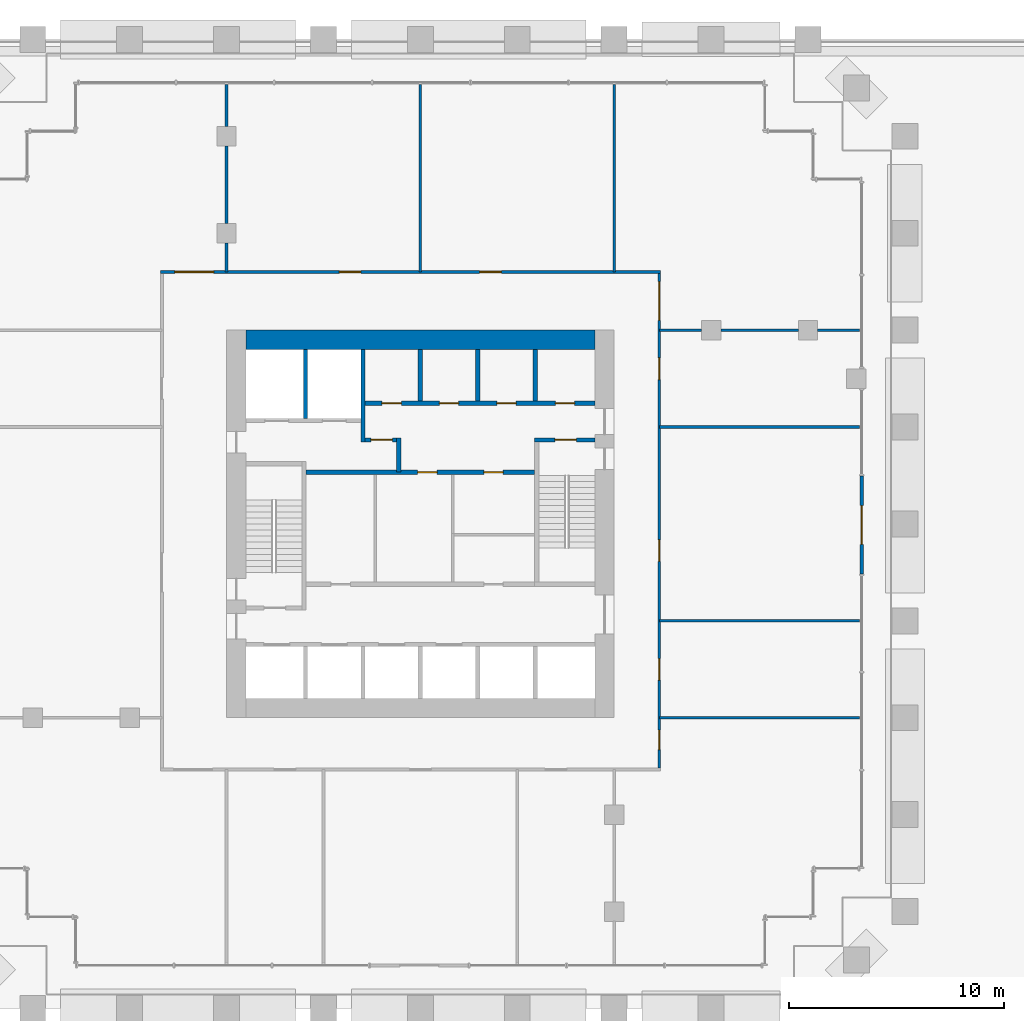
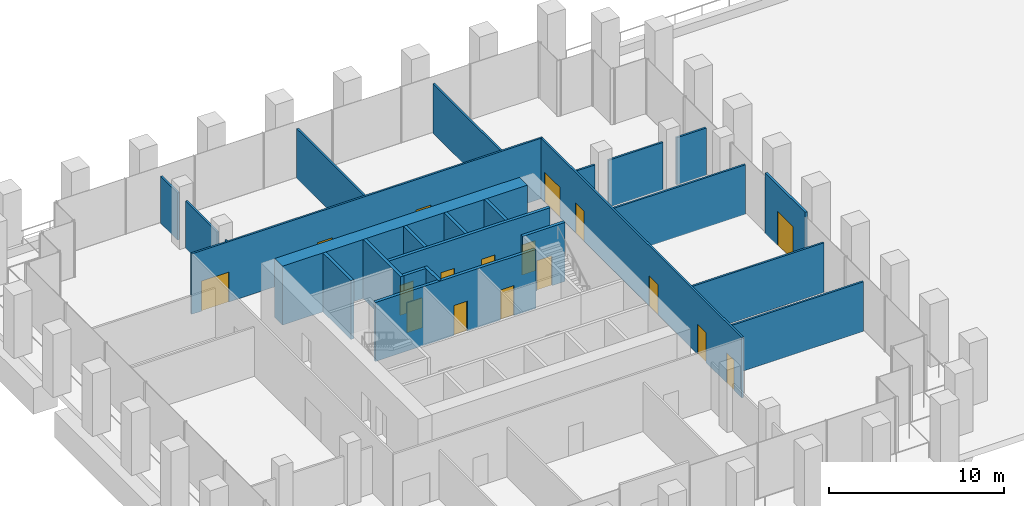
# One storey, part 26 of 32: 25 walls, 17 doors, 17 openings.
"""IFC4 building model written with IfcOpenShell, lengths in metres."""

from ifc_helpers import new_model, si_unit, direction, frame, frame_2d, origin, place, context, subcontext, project, spatial, rectangle, extrude, material, layer, layer_set, type_object, element, fill, save


model = new_model("IFC4")

# Units and contexts
model_context = context("Model", 3, precision=1e-05, world=origin(), true_north=direction((0.0, 1.0)))
body_context = subcontext(model_context, "Body", "Model", "MODEL_VIEW")
ifc_project = project(units=[si_unit("LENGTHUNIT", "METRE"), si_unit("AREAUNIT", "SQUARE_METRE"), si_unit("VOLUMEUNIT", "CUBIC_METRE"), si_unit("PLANEANGLEUNIT", "RADIAN"), si_unit("MASSUNIT", "GRAM", prefix="KILO")], contexts=[model_context])

# Site, building, storey
site_placement = place(None, origin())
site = spatial("IfcSite", under=ifc_project, at=site_placement, CompositionType="ELEMENT")
building_placement = place(site_placement, origin())
building = spatial("IfcBuilding", under=site, at=building_placement, Name="Altepetl Exchange Towers", CompositionType="ELEMENT")
storey_placement = place(building_placement, frame((0.0, 0.0, 21.0)))
storey = spatial("IfcBuildingStorey", under=building, at=storey_placement, Name="L04", CompositionType="ELEMENT", Elevation=21.0)

# Wall
ifc_material_1 = material(Name="Concrete C70/85", Category="concrete")
ifc_layer_1 = layer(ifc_material_1, 0.89990234375)
ifc_layer_set_1 = layer_set([ifc_layer_1], Name="Concrete C70/85")
wall_type_1 = type_object("IfcWallType", Name="Core wall 900 reinforced concrete", PredefinedType="SHEAR", material=ifc_layer_set_1)
wall_1_placement = place(storey_placement, frame((41.39990234375, 58.050048828125, 0.0)))
element("IfcWall", 1, at=wall_1_placement, inside=storey, type_object=wall_type_1, Name="wall:A:L04:K-coreN", PredefinedType="SHEAR", context=body_context, shape_type="SweptSolid", body=[
    extrude(rectangle(XDim=16.2001953125, YDim=0.89990234375, at=frame_2d((8.10009765625, 0.0))), origin(), (0.0, 0.0, 1.0), 4.125),
])

# Wall, opening, door
ifc_material_2 = material(Name="Aluminium composite cladding", Category="aluminium")
ifc_layer_2 = layer(ifc_material_2, 0.14990234375)
ifc_layer_set_2 = layer_set([ifc_layer_2], Name="Aluminium composite cladding")
wall_type_2 = type_object("IfcWallType", Name="Infill wall 150 aluminium panel", PredefinedType="SOLIDWALL", material=ifc_layer_set_2)
wall_2_placement = place(storey_placement, frame((70.0, 47.17138671875, 0.0), z_axis=(0.0, 0.0, 1.0), x_axis=(0.0, 1.0, 0.0)))
wall_2 = element("IfcWall", 2, at=wall_2_placement, inside=storey, type_object=wall_type_2, Name="Terrace door bay wall", PredefinedType="SOLIDWALL", context=body_context, shape_type="SweptSolid", body=[
    extrude(rectangle(XDim=4.55712890625, YDim=0.14990234375, at=frame_2d((2.278564453125, 0.0))), origin(), (0.0, 0.0, 1.0), 4.22509765625),
])
opening_1_placement = place(wall_2_placement, frame((1.378662109375, 0.0, 0.0)))
opening_1 = element("IfcOpeningElement", 3, at=opening_1_placement, cuts=wall_2, Name="Opening L04.A92", PredefinedType="OPENING", context=body_context, shape_type="SweptSolid", body=[
    extrude(rectangle(XDim=1.800048828125, YDim=2.39990234375, at=frame_2d((0.89990234375, 1.199951171875))), frame((0.0, 0.0849609375, 0.0), z_axis=(0.0, -1.0, 0.0), x_axis=(1.0, 0.0, 0.0)), (0.0, 0.0, 1.0), 0.169921875),
])
ifc_material_3 = material(Name="Aluminium 6063-T6 and glass", Category="aluminium")
door_type_1 = type_object("IfcDoorType", Name="Glazed door pair 1800x2400", OperationType="DOUBLE_DOOR_DOUBLE_SWING", PredefinedType="NOTDEFINED", material=ifc_material_3)
door_1_placement = place(opening_1_placement, frame((1.800048828125, 0.0, 0.0), x_axis=(-1.0, 0.0, 0.0)))
door_1 = element("IfcDoor", 4, at=door_1_placement, inside=storey, type_object=door_type_1, Name="Terrace door", OperationType="DOUBLE_DOOR_DOUBLE_SWING", OverallHeight=2.39990234375, OverallWidth=1.800048828125, PredefinedType="NOTDEFINED", context=body_context, shape_type="SweptSolid", body=[
    extrude(rectangle(XDim=1.800048828125, YDim=2.39990234375, at=frame_2d((0.89990234375, 1.199951171875))), frame((0.0, 0.02490234375, 0.0), z_axis=(0.0, -1.0, 0.0), x_axis=(1.0, 0.0, 0.0)), (0.0, 0.0, 1.0), 0.050048828125),
])
fill(opening_1, door_1)

# Wall
ifc_material_4 = material(Name="Concrete blockwork", Category="masonry")
ifc_layer_3 = layer(ifc_material_4, 0.199951171875)
ifc_layer_set_3 = layer_set([ifc_layer_3], Name="Concrete blockwork")
wall_type_3 = type_object("IfcWallType", Name="Lobby wall 200 blockwork", PredefinedType="PARTITIONING", material=ifc_layer_set_3)
wall_3_placement = place(storey_placement, frame((48.5, 51.89990234375, 0.0), z_axis=(0.0, 0.0, 1.0), x_axis=(0.0, 1.0, 0.0)))
element("IfcWall", 5, at=wall_3_placement, inside=storey, type_object=wall_type_3, Name="wall:A:L04:K-ffE", PredefinedType="PARTITIONING", context=body_context, shape_type="SweptSolid", body=[
    extrude(rectangle(XDim=1.60009765625, YDim=0.199951171875, at=frame_2d((0.800048828125, 0.0))), origin(), (0.0, 0.0, 1.0), 4.125),
])

# Wall, opening, door
wall_4_placement = place(storey_placement, frame((46.933349609375, 53.39990234375, 0.0)))
wall_4 = element("IfcWall", 6, at=wall_4_placement, inside=storey, type_object=wall_type_3, Name="wall:A:L04:K-ffN", PredefinedType="PARTITIONING", context=body_context, shape_type="SweptSolid", body=[
    extrude(rectangle(XDim=1.466552734375, YDim=0.199951171875, at=frame_2d((0.7333984375, 0.0))), origin(), (0.0, 0.0, 1.0), 4.125),
])
opening_2_placement = place(wall_4_placement, frame((0.2666015625, 0.0, 0.0)))
opening_2 = element("IfcOpeningElement", 7, at=opening_2_placement, cuts=wall_4, Name="Opening L04.A67", PredefinedType="OPENING", context=body_context, shape_type="SweptSolid", body=[
    extrude(rectangle(XDim=1.0, YDim=2.10009765625, at=frame_2d((0.5, 1.050048828125))), frame((0.0, 0.10986328125, 0.0), z_axis=(0.0, -1.0, 0.0), x_axis=(1.0, 0.0, 0.0)), (0.0, 0.0, 1.0), 0.219970703125),
])
ifc_material_5 = material(Name="Steel and timber fire door", Category="steel")
door_type_2 = type_object("IfcDoorType", Name="Fire door 1000 x 2100 stair and lobby", OperationType="SINGLE_SWING_LEFT", PredefinedType="DOOR", material=ifc_material_5)
door_2_placement = place(opening_2_placement, frame((1.0, 0.0, 0.0), x_axis=(-1.0, 0.0, 0.0)))
door_2 = element("IfcDoor", 8, at=door_2_placement, inside=storey, type_object=door_type_2, Name="door:A:L04:K-dffN", OperationType="SINGLE_SWING_LEFT", OverallHeight=2.10009765625, OverallWidth=1.0, PredefinedType="DOOR", context=body_context, shape_type="SweptSolid", body=[
    extrude(rectangle(XDim=1.0, YDim=2.10009765625, at=frame_2d((0.5, 1.050048828125))), frame((0.0, 0.02490234375, 0.0), z_axis=(0.0, -1.0, 0.0), x_axis=(1.0, 0.0, 0.0)), (0.0, 0.0, 1.0), 0.050048828125),
])
fill(opening_2, door_2)

# Wall, openings, doors
wall_5_placement = place(storey_placement, frame((44.199951171875, 51.89990234375, 0.0)))
wall_5 = element("IfcWall", 9, at=wall_5_placement, inside=storey, type_object=wall_type_3, Name="wall:A:L04:K-zoneN", PredefinedType="PARTITIONING", context=body_context, shape_type="SweptSolid", body=[
    extrude(rectangle(XDim=10.60009765625, YDim=0.199951171875, at=frame_2d((5.300048828125, 0.0))), origin(), (0.0, 0.0, 1.0), 4.125),
])
opening_3_placement = place(wall_5_placement, frame((5.175048828125, 0.0, 0.0)))
opening_3 = element("IfcOpeningElement", 10, at=opening_3_placement, cuts=wall_5, Name="Opening L04.A74", PredefinedType="OPENING", context=body_context, shape_type="SweptSolid", body=[
    extrude(rectangle(XDim=0.89990234375, YDim=2.10009765625, at=frame_2d((0.449951171875, 1.050048828125))), frame((0.0, 0.10986328125, 0.0), z_axis=(0.0, -1.0, 0.0), x_axis=(1.0, 0.0, 0.0)), (0.0, 0.0, 1.0), 0.219970703125),
])
opening_4_placement = place(wall_5_placement, frame((8.25, 0.0, 0.0)))
opening_4 = element("IfcOpeningElement", 11, at=opening_4_placement, cuts=wall_5, Name="Opening L04.A76", PredefinedType="OPENING", context=body_context, shape_type="SweptSolid", body=[
    extrude(rectangle(XDim=0.89990234375, YDim=2.10009765625, at=frame_2d((0.449951171875, 1.050048828125))), frame((0.0, 0.10986328125, 0.0), z_axis=(0.0, -1.0, 0.0), x_axis=(1.0, 0.0, 0.0)), (0.0, 0.0, 1.0), 0.219970703125),
])
door_type_3 = type_object("IfcDoorType", Name="Fire door 900 x 2100 service room", OperationType="SINGLE_SWING_LEFT", PredefinedType="DOOR", material=ifc_material_5)
door_3_placement = place(opening_3_placement, frame((0.89990234375, 0.0, 0.0), x_axis=(-1.0, 0.0, 0.0)))
door_3 = element("IfcDoor", 12, at=door_3_placement, inside=storey, type_object=door_type_3, Name="door:A:L04:K-dz2", OperationType="SINGLE_SWING_LEFT", OverallHeight=2.10009765625, OverallWidth=0.89990234375, PredefinedType="DOOR", context=body_context, shape_type="SweptSolid", body=[
    extrude(rectangle(XDim=0.89990234375, YDim=2.10009765625, at=frame_2d((0.449951171875, 1.050048828125))), frame((0.0, 0.02490234375, 0.0), z_axis=(0.0, -1.0, 0.0), x_axis=(1.0, 0.0, 0.0)), (0.0, 0.0, 1.0), 0.050048828125),
])
fill(opening_3, door_3)
door_4_placement = place(opening_4_placement, frame((0.89990234375, 0.0, 0.0), x_axis=(-1.0, 0.0, 0.0)))
door_4 = element("IfcDoor", 13, at=door_4_placement, inside=storey, type_object=door_type_3, Name="door:A:L04:K-dz4", OperationType="SINGLE_SWING_LEFT", OverallHeight=2.10009765625, OverallWidth=0.89990234375, PredefinedType="DOOR", context=body_context, shape_type="SweptSolid", body=[
    extrude(rectangle(XDim=0.89990234375, YDim=2.10009765625, at=frame_2d((0.449951171875, 1.050048828125))), frame((0.0, 0.02490234375, 0.0), z_axis=(0.0, -1.0, 0.0), x_axis=(1.0, 0.0, 0.0)), (0.0, 0.0, 1.0), 0.050048828125),
])
fill(opening_4, door_4)

# Walls
ifc_material_6 = material(Name="Gypsum board on steel studs", Category="steel")
ifc_layer_4 = layer(ifc_material_6, 0.125)
ifc_layer_set_4 = layer_set([ifc_layer_4], Name="Gypsum board on steel studs")
wall_type_4 = type_object("IfcWallType", Name="Partition 125 gypsum board on steel studs", PredefinedType="PARTITIONING", material=ifc_layer_set_4)
for number, where, name in (
    (14, (60.60009765625, 40.5, 0.0), "wall:A:L04:P05"),
    (15, (60.60009765625, 45.0, 0.0), "wall:A:L04:P06"),
    (16, (60.60009765625, 54.0, 0.0), "wall:A:L04:P08"),
):
    element("IfcWall", number, at=place(storey_placement, frame(where)), inside=storey, type_object=wall_type_4, Name=name, PredefinedType="PARTITIONING", context=body_context, shape_type="SweptSolid", body=[
        extrude(rectangle(XDim=9.2998046875, YDim=0.125, at=frame_2d((4.64990234375, 0.0))), origin(), (0.0, 0.0, 1.0), 3.467041015625),
    ])
wall_6_placement = place(storey_placement, frame((60.60009765625, 58.5, 0.0)))
element("IfcWall", 17, at=wall_6_placement, inside=storey, type_object=wall_type_4, Name="wall:A:L04:P10", PredefinedType="PARTITIONING", context=body_context, shape_type="SweptSolid", body=[
    extrude(rectangle(XDim=1.949951171875, YDim=0.125, at=frame_2d((0.97509765625, 0.0))), origin(), (0.0, 0.0, 1.0), 3.302001953125),
])
wall_7_placement = place(storey_placement, frame((63.449951171875, 58.5, 0.0)))
element("IfcWall", 18, at=wall_7_placement, inside=storey, type_object=wall_type_4, Name="wall:A:L04:P11", PredefinedType="PARTITIONING", context=body_context, shape_type="SweptSolid", body=[
    extrude(rectangle(XDim=3.60009765625, YDim=0.125, at=frame_2d((1.800048828125, 0.0))), origin(), (0.0, 0.0, 1.0), 3.302001953125),
])
wall_8_placement = place(storey_placement, frame((67.949951171875, 58.5, 0.0)))
element("IfcWall", 19, at=wall_8_placement, inside=storey, type_object=wall_type_4, Name="wall:A:L04:P12", PredefinedType="PARTITIONING", context=body_context, shape_type="SweptSolid", body=[
    extrude(rectangle(XDim=1.949951171875, YDim=0.125, at=frame_2d((0.97509765625, 0.0))), origin(), (0.0, 0.0, 1.0), 3.302001953125),
])

# Wall, openings, doors
wall_9_placement = place(storey_placement, frame((37.4375, 61.199951171875, 0.0)))
wall_9 = element("IfcWall", 20, at=wall_9_placement, inside=storey, type_object=wall_type_4, Name="wall:A:L04:P13", PredefinedType="PARTITIONING", context=body_context, shape_type="SweptSolid", body=[
    extrude(rectangle(XDim=23.22509765625, YDim=0.125, at=frame_2d((11.612548828125, 0.0))), origin(), (0.0, 0.0, 1.0), 4.22509765625),
])
opening_5_placement = place(wall_9_placement, frame((14.820556640625, 0.0, 0.0)))
opening_5 = element("IfcOpeningElement", 21, at=opening_5_placement, cuts=wall_9, Name="Opening L04.A11", PredefinedType="OPENING", context=body_context, shape_type="SweptSolid", body=[
    extrude(rectangle(XDim=1.0, YDim=2.10009765625, at=frame_2d((0.5, 1.050048828125))), frame((0.0, 0.072509765625, 0.0), z_axis=(0.0, -1.0, 0.0), x_axis=(1.0, 0.0, 0.0)), (0.0, 0.0, 1.0), 0.14501953125),
])
opening_6_placement = place(wall_9_placement, frame((8.304443359375, 0.0, 0.0)))
opening_6 = element("IfcOpeningElement", 22, at=opening_6_placement, cuts=wall_9, Name="Opening L04.A12", PredefinedType="OPENING", context=body_context, shape_type="SweptSolid", body=[
    extrude(rectangle(XDim=1.0, YDim=2.10009765625, at=frame_2d((0.5, 1.050048828125))), frame((0.0, 0.072509765625, 0.0), z_axis=(0.0, -1.0, 0.0), x_axis=(1.0, 0.0, 0.0)), (0.0, 0.0, 1.0), 0.14501953125),
])
opening_7_placement = place(wall_9_placement, frame((0.66259765625, 0.0, 0.0)))
opening_7 = element("IfcOpeningElement", 23, at=opening_7_placement, cuts=wall_9, Name="Opening L04.A13", PredefinedType="OPENING", context=body_context, shape_type="SweptSolid", body=[
    extrude(rectangle(XDim=1.800048828125, YDim=2.10009765625, at=frame_2d((0.89990234375, 1.050048828125))), frame((0.0, 0.072509765625, 0.0), z_axis=(0.0, -1.0, 0.0), x_axis=(1.0, 0.0, 0.0)), (0.0, 0.0, 1.0), 0.14501953125),
])
door_type_4 = type_object("IfcDoorType", Name="Fire door 1000 x 2100 single leaf", OperationType="SINGLE_SWING_LEFT", PredefinedType="DOOR", material=ifc_material_5)
door_5_placement = place(opening_5_placement, origin())
door_5 = element("IfcDoor", 24, at=door_5_placement, inside=storey, type_object=door_type_4, Name="door:A:L04:11", OperationType="SINGLE_SWING_LEFT", OverallHeight=2.10009765625, OverallWidth=1.0, PredefinedType="DOOR", context=body_context, shape_type="SweptSolid", body=[
    extrude(rectangle(XDim=1.0, YDim=2.10009765625, at=frame_2d((0.5, 1.050048828125))), frame((0.0, 0.02490234375, 0.0), z_axis=(0.0, -1.0, 0.0), x_axis=(1.0, 0.0, 0.0)), (0.0, 0.0, 1.0), 0.050048828125),
])
fill(opening_5, door_5)
door_6_placement = place(opening_6_placement, origin())
door_6 = element("IfcDoor", 25, at=door_6_placement, inside=storey, type_object=door_type_4, Name="door:A:L04:12", OperationType="SINGLE_SWING_RIGHT", OverallHeight=2.10009765625, OverallWidth=1.0, PredefinedType="DOOR", context=body_context, shape_type="SweptSolid", body=[
    extrude(rectangle(XDim=1.0, YDim=2.10009765625, at=frame_2d((0.5, 1.050048828125))), frame((0.0, 0.02490234375, 0.0), z_axis=(0.0, -1.0, 0.0), x_axis=(1.0, 0.0, 0.0)), (0.0, 0.0, 1.0), 0.050048828125),
])
fill(opening_6, door_6)
door_type_5 = type_object("IfcDoorType", Name="Fire door 1800 x 2100 double leaf", OperationType="DOUBLE_DOOR_SINGLE_SWING", PredefinedType="DOOR", material=ifc_material_5)
door_7_placement = place(opening_7_placement, origin())
door_7 = element("IfcDoor", 26, at=door_7_placement, inside=storey, type_object=door_type_5, Name="door:A:L04:13", OperationType="DOUBLE_DOOR_SINGLE_SWING", OverallHeight=2.10009765625, OverallWidth=1.800048828125, PredefinedType="DOOR", context=body_context, shape_type="SweptSolid", body=[
    extrude(rectangle(XDim=1.800048828125, YDim=2.10009765625, at=frame_2d((0.89990234375, 1.050048828125))), frame((0.0, 0.02490234375, 0.0), z_axis=(0.0, -1.0, 0.0), x_axis=(1.0, 0.0, 0.0)), (0.0, 0.0, 1.0), 0.050048828125),
])
fill(opening_7, door_7)

# Walls
wall_10_placement = place(storey_placement, frame((40.5, 61.199951171875, 0.0), z_axis=(0.0, 0.0, 1.0), x_axis=(0.0, 1.0, 0.0)))
element("IfcWall", 27, at=wall_10_placement, inside=storey, type_object=wall_type_4, Name="wall:A:L04:P16", PredefinedType="PARTITIONING", context=body_context, shape_type="SweptSolid", body=[
    extrude(rectangle(XDim=1.35009765625, YDim=0.125, at=frame_2d((0.675048828125, 0.0))), origin(), (0.0, 0.0, 1.0), 3.302001953125),
])
wall_11_placement = place(storey_placement, frame((40.5, 63.449951171875, 0.0), z_axis=(0.0, 0.0, 1.0), x_axis=(0.0, 1.0, 0.0)))
element("IfcWall", 28, at=wall_11_placement, inside=storey, type_object=wall_type_4, Name="wall:A:L04:P17", PredefinedType="PARTITIONING", context=body_context, shape_type="SweptSolid", body=[
    extrude(rectangle(XDim=3.60009765625, YDim=0.125, at=frame_2d((1.800048828125, 0.0))), origin(), (0.0, 0.0, 1.0), 3.302001953125),
])
wall_12_placement = place(storey_placement, frame((40.5, 67.949951171875, 0.0), z_axis=(0.0, 0.0, 1.0), x_axis=(0.0, 1.0, 0.0)))
element("IfcWall", 29, at=wall_12_placement, inside=storey, type_object=wall_type_4, Name="wall:A:L04:P18", PredefinedType="PARTITIONING", context=body_context, shape_type="SweptSolid", body=[
    extrude(rectangle(XDim=1.949951171875, YDim=0.125, at=frame_2d((0.97509765625, 0.0))), origin(), (0.0, 0.0, 1.0), 3.302001953125),
])
for number, where, z_axis, x_axis, name in (
    (30, (49.5, 61.199951171875, 0.0), (0.0, 0.0, 1.0), (0.0, 1.0, 0.0), "wall:A:L04:P20"),
    (31, (58.5, 61.199951171875, 0.0), (0.0, 0.0, 1.0), (0.0, 1.0, 0.0), "wall:A:L04:P25"),
):
    element("IfcWall", number, at=place(storey_placement, frame(where, z_axis=z_axis, x_axis=x_axis)), inside=storey, type_object=wall_type_4, Name=name, PredefinedType="PARTITIONING", context=body_context, shape_type="SweptSolid", body=[
        extrude(rectangle(XDim=8.699951171875, YDim=0.125, at=frame_2d((4.35009765625, 0.0))), origin(), (0.0, 0.0, 1.0), 3.467041015625),
    ])

# Wall, openings, doors
wall_13_placement = place(storey_placement, frame((60.60009765625, 38.16259765625, 0.0), z_axis=(0.0, 0.0, 1.0), x_axis=(0.0, 1.0, 0.0)))
wall_13 = element("IfcWall", 32, at=wall_13_placement, inside=storey, type_object=wall_type_4, Name="wall:A:L04:P26", PredefinedType="PARTITIONING", context=body_context, shape_type="SweptSolid", body=[
    extrude(rectangle(XDim=22.974853515625, YDim=0.125, at=frame_2d((11.4873046875, 0.0))), origin(), (0.0, 0.0, 1.0), 4.22509765625),
])
opening_8_placement = place(wall_13_placement, frame((0.862548828125, 0.0, 0.0)))
opening_8 = element("IfcOpeningElement", 33, at=opening_8_placement, cuts=wall_13, Name="Opening L04.A06", PredefinedType="OPENING", context=body_context, shape_type="SweptSolid", body=[
    extrude(rectangle(XDim=0.89990234375, YDim=2.10009765625, at=frame_2d((0.449951171875, 1.050048828125))), frame((0.0, 0.072509765625, 0.0), z_axis=(0.0, -1.0, 0.0), x_axis=(1.0, 0.0, 0.0)), (0.0, 0.0, 1.0), 0.14501953125),
])
opening_9_placement = place(wall_13_placement, frame((4.08740234375, 0.0, 0.0)))
opening_9 = element("IfcOpeningElement", 34, at=opening_9_placement, cuts=wall_13, Name="Opening L04.A07", PredefinedType="OPENING", context=body_context, shape_type="SweptSolid", body=[
    extrude(rectangle(XDim=1.0, YDim=2.10009765625, at=frame_2d((0.5, 1.050048828125))), frame((0.0, 0.072509765625, 0.0), z_axis=(0.0, -1.0, 0.0), x_axis=(1.0, 0.0, 0.0)), (0.0, 0.0, 1.0), 0.14501953125),
])
opening_10_placement = place(wall_13_placement, frame((9.595458984375, 0.0, 0.0)))
opening_10 = element("IfcOpeningElement", 35, at=opening_10_placement, cuts=wall_13, Name="Opening L04.A08", PredefinedType="OPENING", context=body_context, shape_type="SweptSolid", body=[
    extrude(rectangle(XDim=1.0, YDim=2.10009765625, at=frame_2d((0.5, 1.050048828125))), frame((0.0, 0.072509765625, 0.0), z_axis=(0.0, -1.0, 0.0), x_axis=(1.0, 0.0, 0.0)), (0.0, 0.0, 1.0), 0.14501953125),
])
opening_11_placement = place(wall_13_placement, frame((18.04248046875, 0.0, 0.0)))
opening_11 = element("IfcOpeningElement", 36, at=opening_11_placement, cuts=wall_13, Name="Opening L04.A09", PredefinedType="OPENING", context=body_context, shape_type="SweptSolid", body=[
    extrude(rectangle(XDim=1.0, YDim=2.10009765625, at=frame_2d((0.5, 1.050048828125))), frame((0.0, 0.072509765625, 0.0), z_axis=(0.0, -1.0, 0.0), x_axis=(1.0, 0.0, 0.0)), (0.0, 0.0, 1.0), 0.14501953125),
])
opening_12_placement = place(wall_13_placement, frame((20.78759765625, 0.0, 0.0)))
opening_12 = element("IfcOpeningElement", 37, at=opening_12_placement, cuts=wall_13, Name="Opening L04.A10", PredefinedType="OPENING", context=body_context, shape_type="SweptSolid", body=[
    extrude(rectangle(XDim=1.800048828125, YDim=2.10009765625, at=frame_2d((0.89990234375, 1.050048828125))), frame((0.0, 0.072509765625, 0.0), z_axis=(0.0, -1.0, 0.0), x_axis=(1.0, 0.0, 0.0)), (0.0, 0.0, 1.0), 0.14501953125),
])
door_8_placement = place(opening_9_placement, frame((1.0, 0.0, 0.0), x_axis=(-1.0, 0.0, 0.0)))
door_8 = element("IfcDoor", 38, at=door_8_placement, inside=storey, type_object=door_type_4, Name="door:A:L04:07", OperationType="SINGLE_SWING_LEFT", OverallHeight=2.10009765625, OverallWidth=1.0, PredefinedType="DOOR", context=body_context, shape_type="SweptSolid", body=[
    extrude(rectangle(XDim=1.0, YDim=2.10009765625, at=frame_2d((0.5, 1.050048828125))), frame((0.0, 0.02490234375, 0.0), z_axis=(0.0, -1.0, 0.0), x_axis=(1.0, 0.0, 0.0)), (0.0, 0.0, 1.0), 0.050048828125),
])
fill(opening_9, door_8)
door_9_placement = place(opening_10_placement, frame((1.0, 0.0, 0.0), x_axis=(-1.0, 0.0, 0.0)))
door_9 = element("IfcDoor", 39, at=door_9_placement, inside=storey, type_object=door_type_4, Name="door:A:L04:08", OperationType="SINGLE_SWING_RIGHT", OverallHeight=2.10009765625, OverallWidth=1.0, PredefinedType="DOOR", context=body_context, shape_type="SweptSolid", body=[
    extrude(rectangle(XDim=1.0, YDim=2.10009765625, at=frame_2d((0.5, 1.050048828125))), frame((0.0, 0.02490234375, 0.0), z_axis=(0.0, -1.0, 0.0), x_axis=(1.0, 0.0, 0.0)), (0.0, 0.0, 1.0), 0.050048828125),
])
fill(opening_10, door_9)
door_10_placement = place(opening_11_placement, frame((1.0, 0.0, 0.0), x_axis=(-1.0, 0.0, 0.0)))
door_10 = element("IfcDoor", 40, at=door_10_placement, inside=storey, type_object=door_type_4, Name="door:A:L04:09", OperationType="SINGLE_SWING_LEFT", OverallHeight=2.10009765625, OverallWidth=1.0, PredefinedType="DOOR", context=body_context, shape_type="SweptSolid", body=[
    extrude(rectangle(XDim=1.0, YDim=2.10009765625, at=frame_2d((0.5, 1.050048828125))), frame((0.0, 0.02490234375, 0.0), z_axis=(0.0, -1.0, 0.0), x_axis=(1.0, 0.0, 0.0)), (0.0, 0.0, 1.0), 0.050048828125),
])
fill(opening_11, door_10)
door_11_placement = place(opening_12_placement, frame((1.800048828125, 0.0, 0.0), x_axis=(-1.0, 0.0, 0.0)))
door_11 = element("IfcDoor", 41, at=door_11_placement, inside=storey, type_object=door_type_5, Name="door:A:L04:10", OperationType="DOUBLE_DOOR_SINGLE_SWING", OverallHeight=2.10009765625, OverallWidth=1.800048828125, PredefinedType="DOOR", context=body_context, shape_type="SweptSolid", body=[
    extrude(rectangle(XDim=1.800048828125, YDim=2.10009765625, at=frame_2d((0.89990234375, 1.050048828125))), frame((0.0, 0.02490234375, 0.0), z_axis=(0.0, -1.0, 0.0), x_axis=(1.0, 0.0, 0.0)), (0.0, 0.0, 1.0), 0.050048828125),
])
fill(opening_12, door_11)
door_type_6 = type_object("IfcDoorType", Name="Fire door 900 x 2100 single leaf", OperationType="SINGLE_SWING_LEFT", PredefinedType="DOOR", material=ifc_material_5)
door_12_placement = place(opening_8_placement, frame((0.89990234375, 0.0, 0.0), x_axis=(-1.0, 0.0, 0.0)))
door_12 = element("IfcDoor", 42, at=door_12_placement, inside=storey, type_object=door_type_6, Name="door:A:L04:06", OperationType="SINGLE_SWING_RIGHT", OverallHeight=2.10009765625, OverallWidth=0.89990234375, PredefinedType="DOOR", context=body_context, shape_type="SweptSolid", body=[
    extrude(rectangle(XDim=0.89990234375, YDim=2.10009765625, at=frame_2d((0.449951171875, 1.050048828125))), frame((0.0, 0.02490234375, 0.0), z_axis=(0.0, -1.0, 0.0), x_axis=(1.0, 0.0, 0.0)), (0.0, 0.0, 1.0), 0.050048828125),
])
fill(opening_8, door_12)

# Walls
ifc_material_7 = material(Name="Concrete C40/50", Category="concrete")
ifc_layer_5 = layer(ifc_material_7, 0.199951171875)
ifc_layer_set_5 = layer_set([ifc_layer_5], Name="Concrete C40/50")
wall_type_5 = type_object("IfcWallType", Name="Shaft wall 200 reinforced concrete", PredefinedType="SHEAR", material=ifc_layer_set_5)
wall_14_placement = place(storey_placement, frame((44.166748046875, 57.60009765625, 0.0), z_axis=(0.0, 0.0, 1.0), x_axis=(0.0, -1.0, 0.0)))
element("IfcWall", 43, at=wall_14_placement, inside=storey, type_object=wall_type_5, Name="wall:A:L04:K-divN1", PredefinedType="SHEAR", context=body_context, shape_type="SweptSolid", body=[
    extrude(rectangle(XDim=3.2001953125, YDim=0.199951171875, at=frame_2d((1.60009765625, 0.0))), origin(), (0.0, 0.0, 1.0), 4.125),
])
wall_15_placement = place(storey_placement, frame((46.833251953125, 57.60009765625, 0.0), z_axis=(0.0, 0.0, 1.0), x_axis=(0.0, -1.0, 0.0)))
element("IfcWall", 44, at=wall_15_placement, inside=storey, type_object=wall_type_5, Name="wall:A:L04:K-divN2", PredefinedType="SHEAR", context=body_context, shape_type="SweptSolid", body=[
    extrude(rectangle(XDim=4.300048828125, YDim=0.199951171875, at=frame_2d((2.14990234375, 0.0))), origin(), (0.0, 0.0, 1.0), 4.125),
])
for number, where, z_axis, x_axis, name in (
    (45, (49.5, 57.60009765625, 0.0), (0.0, 0.0, 1.0), (0.0, -1.0, 0.0), "wall:A:L04:K-divN3"),
    (46, (52.166748046875, 57.60009765625, 0.0), (0.0, 0.0, 1.0), (0.0, -1.0, 0.0), "wall:A:L04:K-divN4"),
    (47, (54.833251953125, 57.60009765625, 0.0), (0.0, 0.0, 1.0), (0.0, -1.0, 0.0), "wall:A:L04:K-divN5"),
):
    element("IfcWall", number, at=place(storey_placement, frame(where, z_axis=z_axis, x_axis=x_axis)), inside=storey, type_object=wall_type_5, Name=name, PredefinedType="SHEAR", context=body_context, shape_type="SweptSolid", body=[
        extrude(rectangle(XDim=2.400146484375, YDim=0.199951171875, at=frame_2d((1.2001953125, 0.0))), origin(), (0.0, 0.0, 1.0), 4.125),
    ])

# Wall, openings, doors
wall_16_placement = place(storey_placement, frame((46.933349609375, 55.10009765625, 0.0)))
wall_16 = element("IfcWall", 48, at=wall_16_placement, inside=storey, type_object=wall_type_5, Name="wall:A:L04:K-frontNb", PredefinedType="SHEAR", context=body_context, shape_type="SweptSolid", body=[
    extrude(rectangle(XDim=10.666748046875, YDim=0.199951171875, at=frame_2d((5.33349609375, 0.0))), origin(), (0.0, 0.0, 1.0), 4.125),
])
opening_13_placement = place(wall_16_placement, frame((8.83349609375, 0.0, 0.0)))
opening_13 = element("IfcOpeningElement", 49, at=opening_13_placement, cuts=wall_16, Name="Opening L04.A69", PredefinedType="OPENING", context=body_context, shape_type="SweptSolid", body=[
    extrude(rectangle(XDim=0.89990234375, YDim=2.10009765625, at=frame_2d((0.449951171875, 1.050048828125))), frame((0.0, 0.10986328125, 0.0), z_axis=(0.0, -1.0, 0.0), x_axis=(1.0, 0.0, 0.0)), (0.0, 0.0, 1.0), 0.219970703125),
])
opening_14_placement = place(wall_16_placement, frame((0.783447265625, 0.0, 0.0)))
opening_14 = element("IfcOpeningElement", 50, at=opening_14_placement, cuts=wall_16, Name="Opening L04.A70", PredefinedType="OPENING", context=body_context, shape_type="SweptSolid", body=[
    extrude(rectangle(XDim=0.89990234375, YDim=2.10009765625, at=frame_2d((0.449951171875, 1.050048828125))), frame((0.0, 0.10986328125, 0.0), z_axis=(0.0, -1.0, 0.0), x_axis=(1.0, 0.0, 0.0)), (0.0, 0.0, 1.0), 0.219970703125),
])
opening_15_placement = place(wall_16_placement, frame((3.449951171875, 0.0, 0.0)))
opening_15 = element("IfcOpeningElement", 51, at=opening_15_placement, cuts=wall_16, Name="Opening L04.A71", PredefinedType="OPENING", context=body_context, shape_type="SweptSolid", body=[
    extrude(rectangle(XDim=0.89990234375, YDim=2.10009765625, at=frame_2d((0.449951171875, 1.050048828125))), frame((0.0, 0.10986328125, 0.0), z_axis=(0.0, -1.0, 0.0), x_axis=(1.0, 0.0, 0.0)), (0.0, 0.0, 1.0), 0.219970703125),
])
opening_16_placement = place(wall_16_placement, frame((6.11669921875, 0.0, 0.0)))
opening_16 = element("IfcOpeningElement", 52, at=opening_16_placement, cuts=wall_16, Name="Opening L04.A72", PredefinedType="OPENING", context=body_context, shape_type="SweptSolid", body=[
    extrude(rectangle(XDim=0.89990234375, YDim=2.10009765625, at=frame_2d((0.449951171875, 1.050048828125))), frame((0.0, 0.10986328125, 0.0), z_axis=(0.0, -1.0, 0.0), x_axis=(1.0, 0.0, 0.0)), (0.0, 0.0, 1.0), 0.219970703125),
])
door_13_placement = place(opening_13_placement, origin())
door_13 = element("IfcDoor", 53, at=door_13_placement, inside=storey, type_object=door_type_3, Name="door:A:L04:K-driser", OperationType="SINGLE_SWING_RIGHT", OverallHeight=2.10009765625, OverallWidth=0.89990234375, PredefinedType="DOOR", context=body_context, shape_type="SweptSolid", body=[
    extrude(rectangle(XDim=0.89990234375, YDim=2.10009765625, at=frame_2d((0.449951171875, 1.050048828125))), frame((0.0, 0.02490234375, 0.0), z_axis=(0.0, -1.0, 0.0), x_axis=(1.0, 0.0, 0.0)), (0.0, 0.0, 1.0), 0.050048828125),
])
fill(opening_13, door_13)
door_14_placement = place(opening_14_placement, origin())
door_14 = element("IfcDoor", 54, at=door_14_placement, inside=storey, type_object=door_type_3, Name="door:A:L04:K-dslotN2", OperationType="SINGLE_SWING_RIGHT", OverallHeight=2.10009765625, OverallWidth=0.89990234375, PredefinedType="DOOR", context=body_context, shape_type="SweptSolid", body=[
    extrude(rectangle(XDim=0.89990234375, YDim=2.10009765625, at=frame_2d((0.449951171875, 1.050048828125))), frame((0.0, 0.02490234375, 0.0), z_axis=(0.0, -1.0, 0.0), x_axis=(1.0, 0.0, 0.0)), (0.0, 0.0, 1.0), 0.050048828125),
])
fill(opening_14, door_14)
door_15_placement = place(opening_15_placement, origin())
door_15 = element("IfcDoor", 55, at=door_15_placement, inside=storey, type_object=door_type_3, Name="door:A:L04:K-dslotN3", OperationType="SINGLE_SWING_RIGHT", OverallHeight=2.10009765625, OverallWidth=0.89990234375, PredefinedType="DOOR", context=body_context, shape_type="SweptSolid", body=[
    extrude(rectangle(XDim=0.89990234375, YDim=2.10009765625, at=frame_2d((0.449951171875, 1.050048828125))), frame((0.0, 0.02490234375, 0.0), z_axis=(0.0, -1.0, 0.0), x_axis=(1.0, 0.0, 0.0)), (0.0, 0.0, 1.0), 0.050048828125),
])
fill(opening_15, door_15)
door_16_placement = place(opening_16_placement, origin())
door_16 = element("IfcDoor", 56, at=door_16_placement, inside=storey, type_object=door_type_3, Name="door:A:L04:K-dslotN4", OperationType="SINGLE_SWING_RIGHT", OverallHeight=2.10009765625, OverallWidth=0.89990234375, PredefinedType="DOOR", context=body_context, shape_type="SweptSolid", body=[
    extrude(rectangle(XDim=0.89990234375, YDim=2.10009765625, at=frame_2d((0.449951171875, 1.050048828125))), frame((0.0, 0.02490234375, 0.0), z_axis=(0.0, -1.0, 0.0), x_axis=(1.0, 0.0, 0.0)), (0.0, 0.0, 1.0), 0.050048828125),
])
fill(opening_16, door_16)

# Wall, opening, door
ifc_layer_6 = layer(ifc_material_7, 0.199951171875)
ifc_layer_set_6 = layer_set([ifc_layer_6], Name="Concrete C40/50")
wall_type_6 = type_object("IfcWallType", Name="Stair wall 200 reinforced concrete", PredefinedType="SHEAR", material=ifc_layer_set_6)
wall_17_placement = place(storey_placement, frame((54.800048828125, 53.39990234375, 0.0)))
wall_17 = element("IfcWall", 57, at=wall_17_placement, inside=storey, type_object=wall_type_6, Name="wall:A:L04:K-stS2N", PredefinedType="SHEAR", context=body_context, shape_type="SweptSolid", body=[
    extrude(rectangle(XDim=2.800048828125, YDim=0.199951171875, at=frame_2d((1.39990234375, 0.0))), origin(), (0.0, 0.0, 1.0), 4.125),
])
opening_17_placement = place(wall_17_placement, frame((0.949951171875, 0.0, 0.0)))
opening_17 = element("IfcOpeningElement", 58, at=opening_17_placement, cuts=wall_17, Name="Opening L04.A65", PredefinedType="OPENING", context=body_context, shape_type="SweptSolid", body=[
    extrude(rectangle(XDim=1.0, YDim=2.10009765625, at=frame_2d((0.5, 1.050048828125))), frame((0.0, 0.10986328125, 0.0), z_axis=(0.0, -1.0, 0.0), x_axis=(1.0, 0.0, 0.0)), (0.0, 0.0, 1.0), 0.219970703125),
])
door_17_placement = place(opening_17_placement, frame((1.0, 0.0, 0.0), x_axis=(-1.0, 0.0, 0.0)))
door_17 = element("IfcDoor", 59, at=door_17_placement, inside=storey, type_object=door_type_2, Name="door:A:L04:K-dS2in", OperationType="SINGLE_SWING_LEFT", OverallHeight=2.10009765625, OverallWidth=1.0, PredefinedType="DOOR", context=body_context, shape_type="SweptSolid", body=[
    extrude(rectangle(XDim=1.0, YDim=2.10009765625, at=frame_2d((0.5, 1.050048828125))), frame((0.0, 0.02490234375, 0.0), z_axis=(0.0, -1.0, 0.0), x_axis=(1.0, 0.0, 0.0)), (0.0, 0.0, 1.0), 0.050048828125),
])
fill(opening_17, door_17)

save(model, "model.ifc")
